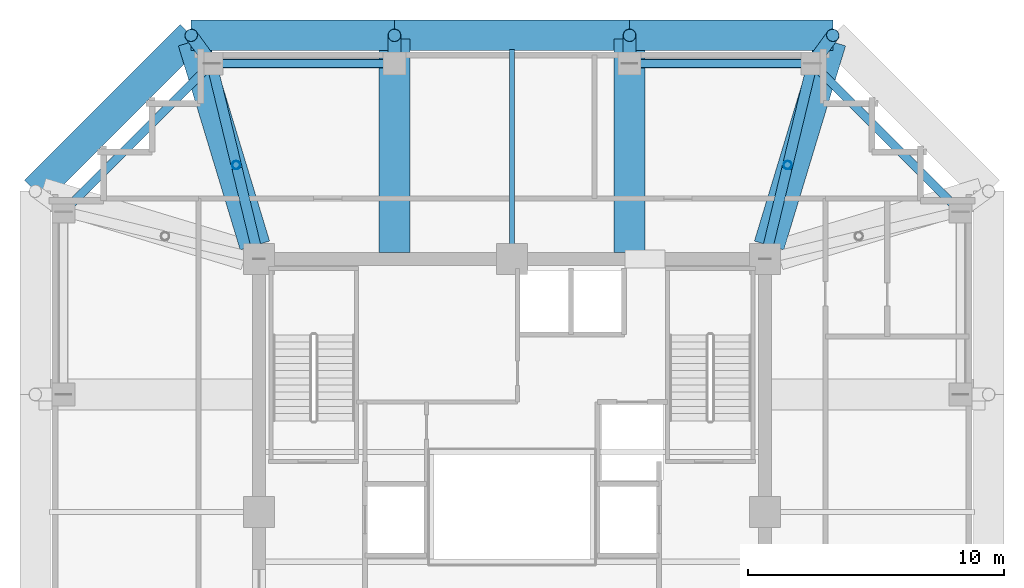
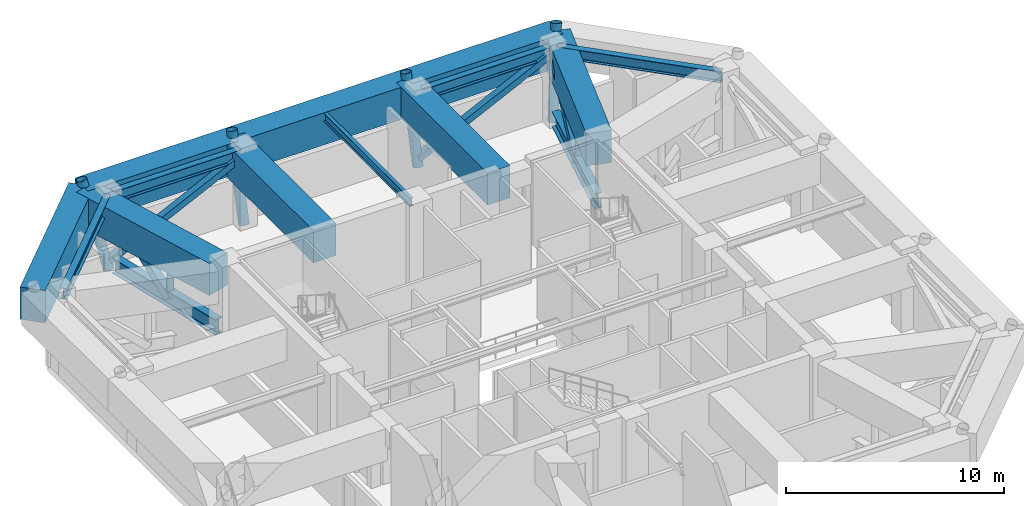
# One storey, part 5 of 12: 15 beams, 10 members.
"""IFC4 building model written with IfcOpenShell, lengths in metres."""

from ifc_helpers import new_model, si_unit, direction, frame, origin, origin_2d, place, context, subcontext, project, spatial, rectangle, hollow_rectangle, hollow_circle, i_section, extrude, material, material_profile, profile_set, type_object, element, save


model = new_model("IFC4")

# Units and contexts
model_context = context("Model", 3, precision=1e-05, world=origin(), true_north=direction((0.0, 1.0)))
body_context = subcontext(model_context, "Body", "Model", "MODEL_VIEW")
ifc_project = project(units=[si_unit("LENGTHUNIT", "METRE"), si_unit("AREAUNIT", "SQUARE_METRE"), si_unit("VOLUMEUNIT", "CUBIC_METRE"), si_unit("PLANEANGLEUNIT", "RADIAN"), si_unit("MASSUNIT", "GRAM", prefix="KILO")], contexts=[model_context])

# Site, building, storey
site_placement = place(None, origin())
site = spatial("IfcSite", under=ifc_project, at=site_placement, CompositionType="ELEMENT")
building_placement = place(site_placement, origin())
building = spatial("IfcBuilding", under=site, at=building_placement, Name="Kolvaren Belvedere", CompositionType="ELEMENT")
storey_placement = place(building_placement, frame((0.0, 0.0, 148.10009765625)))
storey = spatial("IfcBuildingStorey", under=building, at=storey_placement, Name="L43", CompositionType="ELEMENT", Elevation=148.10009765625)

# Beams
ifc_material_1 = material(Name="Structural steel ASTM A992 Grade 50", Category="steel")
ifc_material_profile_1 = material_profile(ifc_material_1, i_section(OverallWidth=0.39990234375, OverallDepth=0.85595703125, WebThickness=0.018310546875, FlangeThickness=0.029296875, FilletRadius=0.02490234375, at=origin_2d()), Name="W33X201")
ifc_profile_set_1 = profile_set([ifc_material_profile_1], Name="Structural steel ASTM A992 Grade 50")
beam_type_1 = type_object("IfcBeamType", Name="BM-GIRD-W33X201", PredefinedType="BEAM", material=ifc_profile_set_1)
for number, where, z_axis, x_axis, name in (
    (1, (10.029296875, 10.4345703125, 0.47998046875), (0.235061976433, 0.971980384182, 0.0), (-0.971980384182, 0.235061976433, 0.0), "L43 Outrigger Truss Bottom Chord OB-5"),
    (2, (-10.029296875, 10.4345703125, 0.47998046875), (-0.235061976433, 0.971980384182, 0.0), (-0.971980384182, -0.235061976433, 0.0), "L43 Outrigger Truss Bottom Chord OB-7"),
):
    element("IfcBeam", number, at=place(storey_placement, frame(where, z_axis=z_axis, x_axis=x_axis)), inside=storey, type_object=beam_type_1, Name=name, PredefinedType="BEAM", context=body_context, shape_type="SweptSolid", body=[
        extrude(i_section(OverallWidth=0.39990234375, OverallDepth=0.85595703125, WebThickness=0.018310546875, FlangeThickness=0.029296875, FilletRadius=0.02490234375, at=origin_2d()), origin(), (0.0, 0.0, 1.0), 6.87060546875),
    ])
ifc_material_2 = material(Name="Structural steel ASTM A992 Grade 50", Category="steel")
ifc_material_profile_2 = material_profile(ifc_material_2, i_section(OverallWidth=0.19091796875, OverallDepth=0.4599609375, WebThickness=0.010009765625, FlangeThickness=0.01611328125, FilletRadius=0.014892578125, at=origin_2d()), Name="W18X55")
ifc_profile_set_2 = profile_set([ifc_material_profile_2], Name="Structural steel ASTM A992 Grade 50")
beam_type_2 = type_object("IfcBeamType", Name="BM-JOIST-W18X55", PredefinedType="BEAM", material=ifc_profile_set_2)
beam_1_placement = place(storey_placement, frame((0.0, 10.14990234375, 4.06982421875), z_axis=(0.0, 1.0, 0.0), x_axis=(-1.0, 0.0, 0.0)))
element("IfcBeam", 3, at=beam_1_placement, inside=storey, type_object=beam_type_2, Name="L43 North Centre Floor Beam", PredefinedType="BEAM", context=body_context, shape_type="SweptSolid", body=[
    extrude(i_section(OverallWidth=0.19091796875, OverallDepth=0.4599609375, WebThickness=0.010009765625, FlangeThickness=0.01611328125, FilletRadius=0.014892578125, at=origin_2d()), origin(), (0.0, 0.0, 1.0), 7.9501953125),
])
ifc_material_3 = material(Name="Structural steel ASTM A992 Grade 50", Category="steel")
ifc_material_profile_3 = material_profile(ifc_material_3, i_section(OverallWidth=0.324951171875, OverallDepth=0.615966796875, WebThickness=0.013916015625, FlangeThickness=0.021484375, FilletRadius=0.02001953125, at=origin_2d()), Name="W24X117")
ifc_profile_set_3 = profile_set([ifc_material_profile_3], Name="Structural steel ASTM A992 Grade 50")
beam_type_3 = type_object("IfcBeamType", Name="BM-SPAN-W24X117", PredefinedType="SPANDREL", material=ifc_profile_set_3)
beam_2_placement = place(storey_placement, frame((17.40673828125, 11.893310546875, 3.991943359375), z_axis=(-0.707106781187, 0.707106781187, 0.0), x_axis=(-0.707106781187, -0.707106781187, 0.0)))
element("IfcBeam", 4, at=beam_2_placement, inside=storey, type_object=beam_type_3, Name="L43 Perimeter Spandrel E4-N4", PredefinedType="SPANDREL", context=body_context, shape_type="SweptSolid", body=[
    extrude(i_section(OverallWidth=0.324951171875, OverallDepth=0.615966796875, WebThickness=0.013916015625, FlangeThickness=0.021484375, FilletRadius=0.02001953125, at=origin_2d()), origin(), (0.0, 0.0, 1.0), 7.797119140625),
])
for number, where, z_axis, x_axis, name in (
    (5, (11.547607421875, 17.550048828125, 3.991943359375), (-1.0, 0.0, 0.0), (0.0, -1.0, 0.0), "L43 Perimeter Spandrel N4-N3"),
    (6, (-4.802490234375, 17.550048828125, 3.991943359375), (-1.0, 0.0, 0.0), (0.0, -1.0, 0.0), "L43 Perimeter Spandrel N2-N1"),
):
    element("IfcBeam", number, at=place(storey_placement, frame(where, z_axis=z_axis, x_axis=x_axis)), inside=storey, type_object=beam_type_3, Name=name, PredefinedType="SPANDREL", context=body_context, shape_type="SweptSolid", body=[
        extrude(i_section(OverallWidth=0.324951171875, OverallDepth=0.615966796875, WebThickness=0.013916015625, FlangeThickness=0.021484375, FilletRadius=0.02001953125, at=origin_2d()), origin(), (0.0, 0.0, 1.0), 6.7451171875),
    ])
beam_3_placement = place(storey_placement, frame((-11.893310546875, 17.40673828125, 3.991943359375), z_axis=(-0.707106781187, -0.707106781187, 0.0), x_axis=(0.707106781187, -0.707106781187, 0.0)))
element("IfcBeam", 7, at=beam_3_placement, inside=storey, type_object=beam_type_3, Name="L43 Perimeter Spandrel N1-W4", PredefinedType="SPANDREL", context=body_context, shape_type="SweptSolid", body=[
    extrude(i_section(OverallWidth=0.324951171875, OverallDepth=0.615966796875, WebThickness=0.013916015625, FlangeThickness=0.021484375, FilletRadius=0.02001953125, at=origin_2d()), origin(), (0.0, 0.0, 1.0), 7.797119140625),
])
ifc_material_4 = material(Name="Concrete C50/60", Category="concrete")
ifc_material_profile_4 = material_profile(ifc_material_4, rectangle(XDim=1.199951171875, YDim=1.800048828125, at=origin_2d()), Name="RC 1200X1800")
ifc_profile_set_4 = profile_set([ifc_material_profile_4], Name="Concrete C50/60")
beam_type_4 = type_object("IfcBeamType", Name="BM-TG-1800", PredefinedType="BEAM", material=ifc_profile_set_4)
beam_4_placement = place(storey_placement, frame((12.550048828125, 18.64990234375, 3.39990234375), z_axis=(-1.0, 0.0, 0.0), x_axis=(0.0, -1.0, 0.0)))
element("IfcBeam", 8, at=beam_4_placement, inside=storey, type_object=beam_type_4, Name="L43 Step Transfer Ring Girder N4-N3", PredefinedType="BEAM", context=body_context, shape_type="SweptSolid", body=[
    extrude(rectangle(XDim=1.199951171875, YDim=1.800048828125, at=origin_2d()), origin(), (0.0, 0.0, 1.0), 7.949951171875),
])
beam_5_placement = place(storey_placement, frame((4.60009765625, 18.64990234375, 3.39990234375), z_axis=(-1.0, 0.0, 0.0), x_axis=(0.0, -1.0, 0.0)))
element("IfcBeam", 9, at=beam_5_placement, inside=storey, type_object=beam_type_4, Name="L43 Step Transfer Ring Girder N3-N2", PredefinedType="BEAM", context=body_context, shape_type="SweptSolid", body=[
    extrude(rectangle(XDim=1.199951171875, YDim=1.800048828125, at=origin_2d()), origin(), (0.0, 0.0, 1.0), 9.2001953125),
])
beam_6_placement = place(storey_placement, frame((-4.60009765625, 18.64990234375, 3.39990234375), z_axis=(-1.0, 0.0, 0.0), x_axis=(0.0, -1.0, 0.0)))
element("IfcBeam", 10, at=beam_6_placement, inside=storey, type_object=beam_type_4, Name="L43 Step Transfer Ring Girder N2-N1", PredefinedType="BEAM", context=body_context, shape_type="SweptSolid", body=[
    extrude(rectangle(XDim=1.199951171875, YDim=1.800048828125, at=origin_2d()), origin(), (0.0, 0.0, 1.0), 7.949951171875),
])
beam_7_placement = place(storey_placement, frame((-12.550048828125, 18.64990234375, 3.39990234375), z_axis=(-0.707106781187, -0.707106781187, 0.0), x_axis=(0.707106781187, -0.707106781187, 0.0)))
element("IfcBeam", 11, at=beam_7_placement, inside=storey, type_object=beam_type_4, Name="L43 Step Transfer Ring Girder N1-W4", PredefinedType="BEAM", context=body_context, shape_type="SweptSolid", body=[
    extrude(rectangle(XDim=1.199951171875, YDim=1.800048828125, at=origin_2d()), origin(), (0.0, 0.0, 1.0), 8.62646484375),
])
for number, where, z_axis, x_axis, name in (
    (12, (4.60009765625, 10.14990234375, 3.39990234375), (0.0, 1.0, 0.0), (-1.0, 0.0, 0.0), "L43 North Radial Girder P"),
    (13, (-4.60009765625, 10.14990234375, 3.39990234375), (0.0, 1.0, 0.0), (-1.0, 0.0, 0.0), "L43 North Radial Girder M"),
):
    element("IfcBeam", number, at=place(storey_placement, frame(where, z_axis=z_axis, x_axis=x_axis)), inside=storey, type_object=beam_type_4, Name=name, PredefinedType="BEAM", context=body_context, shape_type="SweptSolid", body=[
        extrude(rectangle(XDim=1.199951171875, YDim=1.800048828125, at=origin_2d()), origin(), (0.0, 0.0, 1.0), 8.35009765625),
    ])
for number, where, z_axis, x_axis, name in (
    (14, (10.059326171875, 10.426513671875, 3.39990234375), (0.289873372359, 0.957065007195, 0.0), (-0.957065007195, 0.289873372359, 0.0), "L43 Corner Core-to-Perimeter Girder CC3-N4"),
    (15, (-10.059326171875, 10.426513671875, 3.39990234375), (-0.289873372359, 0.957065007195, 0.0), (-0.957065007195, -0.289873372359, 0.0), "L43 Corner Core-to-Perimeter Girder CC4-N1"),
):
    element("IfcBeam", number, at=place(storey_placement, frame(where, z_axis=z_axis, x_axis=x_axis)), inside=storey, type_object=beam_type_4, Name=name, PredefinedType="BEAM", context=body_context, shape_type="SweptSolid", body=[
        extrude(rectangle(XDim=1.199951171875, YDim=1.800048828125, at=origin_2d()), origin(), (0.0, 0.0, 1.0), 8.34228515625),
    ])

# Members
ifc_material_5 = material(Name="Structural steel ASTM A500 Grade C", Category="steel")
ifc_material_profile_5 = material_profile(ifc_material_5, hollow_rectangle(XDim=0.35595703125, YDim=0.35595703125, WallThickness=0.01171875, at=origin_2d()), Name="HSS14X14X1/2")
ifc_profile_set_5 = profile_set([ifc_material_profile_5], Name="Structural steel ASTM A500 Grade C")
member_type_1 = type_object("IfcMemberType", Name="MB-BELT-BRACE", PredefinedType="BRACE", material=ifc_profile_set_5)
for number, where, z_axis, x_axis, name in (
    (16, (-11.75, 17.550048828125, 0.47998046875), (0.899648500227, 0.0, 0.436614905884), (0.0, 1.0, 0.0), "L43 Perimeter Belt Truss Brace BT-3"),
    (17, (4.60009765625, 17.550048828125, 0.47998046875), (0.899648500227, 0.0, 0.436614905884), (0.0, 1.0, 0.0), "L43 Perimeter Belt Truss Brace BT-4"),
):
    element("IfcMember", number, at=place(storey_placement, frame(where, z_axis=z_axis, x_axis=x_axis)), inside=storey, type_object=member_type_1, Name=name, PredefinedType="BRACE", context=body_context, shape_type="SweptSolid", body=[
        extrude(hollow_rectangle(XDim=0.35595703125, YDim=0.35595703125, WallThickness=0.01171875, at=origin_2d()), origin(), (0.0, 0.0, 1.0), 7.947509765625),
    ])
ifc_material_6 = material(Name="Structural steel ASTM A500 Grade C", Category="steel")
ifc_material_profile_6 = material_profile(ifc_material_6, hollow_circle(Radius=0.162109375, WallThickness=0.01171875, at=origin_2d()), Name="HSS12.750X0.500")
ifc_profile_set_6 = profile_set([ifc_material_profile_6], Name="Structural steel ASTM A500 Grade C")
member_type_2 = type_object("IfcMemberType", Name="MB-CAN-POST", PredefinedType="POST", material=ifc_profile_set_6)
for number, where, z_axis, x_axis, name in (
    (18, (10.7880859375, 13.572021484375, 0.47998046875), (0.0, 0.0, 1.0), (1.0, 0.0, 0.0), "L43 Outrigger Portal Post OP-5"),
    (19, (-10.7880859375, 13.572021484375, 0.47998046875), (0.0, 0.0, 1.0), (1.0, 0.0, 0.0), "L43 Outrigger Portal Post OP-7"),
):
    element("IfcMember", number, at=place(storey_placement, frame(where, z_axis=z_axis, x_axis=x_axis)), inside=storey, type_object=member_type_2, Name=name, PredefinedType="POST", context=body_context, shape_type="SweptSolid", body=[
        extrude(hollow_circle(Radius=0.162109375, WallThickness=0.01171875, at=origin_2d()), origin(), (0.0, 0.0, 1.0), 3.469970703125),
    ])
ifc_material_7 = material(Name="Structural steel ASTM A500 Grade C", Category="steel")
ifc_material_profile_7 = material_profile(ifc_material_7, hollow_rectangle(XDim=0.406005859375, YDim=0.406005859375, WallThickness=0.014892578125, at=origin_2d()), Name="HSS16X16X5/8")
ifc_profile_set_7 = profile_set([ifc_material_profile_7], Name="Structural steel ASTM A500 Grade C")
member_type_3 = type_object("IfcMemberType", Name="MB-OUTRIGGER", PredefinedType="BRACE", material=ifc_profile_set_7)
for number, where, z_axis, x_axis, name in (
    (20, (10.7880859375, 13.572021484375, 0.47998046875), (0.179271121775, 0.741381639136, 0.646695546645), (-0.971987354602, 0.235033151904, 0.0), "L43 Outrigger Truss Diagonal OT-5A"),
    (21, (-10.7880859375, 13.572021484375, 0.47998046875), (-0.179271121775, 0.741381639136, 0.646695546645), (-0.971987354602, -0.235033151904, 0.0), "L43 Outrigger Truss Diagonal OT-7A"),
):
    element("IfcMember", number, at=place(storey_placement, frame(where, z_axis=z_axis, x_axis=x_axis)), inside=storey, type_object=member_type_3, Name=name, PredefinedType="BRACE", context=body_context, shape_type="SweptSolid", body=[
        extrude(hollow_rectangle(XDim=0.406005859375, YDim=0.406005859375, WallThickness=0.014892578125, at=origin_2d()), origin(), (0.0, 0.0, 1.0), 5.36572265625),
    ])
ifc_material_8 = material(Name="Structural steel ASTM A500 Grade C", Category="steel")
ifc_material_profile_8 = material_profile(ifc_material_8, hollow_circle(Radius=0.25390625, WallThickness=0.01171875, at=origin_2d()), Name="HSS20.000X0.500")
ifc_profile_set_8 = profile_set([ifc_material_profile_8], Name="Structural steel ASTM A500 Grade C")
member_type_4 = type_object("IfcMemberType", Name="MB-WAIST-STRUT", PredefinedType="STRUT", material=ifc_profile_set_8)
member_1_placement = place(storey_placement, frame((-11.75, 17.550048828125, 0.0), z_axis=(-0.166791227963, 0.229293403104, 0.958960490097), x_axis=(-0.808681743416, -0.58824640914, 0.0)))
element("IfcMember", 22, at=member_1_placement, inside=storey, type_object=member_type_4, Name="L43 Inclined Waist Transition Strut N1", PredefinedType="STRUT", context=body_context, shape_type="SweptSolid", body=[
    extrude(hollow_circle(Radius=0.25390625, WallThickness=0.01171875, at=origin_2d()), origin(), (0.0, 0.0, 1.0), 4.796630859375),
])
for number, where, z_axis, x_axis, name in (
    (23, (-4.60009765625, 17.550048828125, 0.0), (0.0, 0.232550921911, 0.972584221915), (-1.0, 0.0, 0.0), "L43 Inclined Waist Transition Strut N2"),
    (24, (4.60009765625, 17.550048828125, 0.0), (0.0, 0.232550921911, 0.972584221915), (-1.0, 0.0, 0.0), "L43 Inclined Waist Transition Strut N3"),
):
    element("IfcMember", number, at=place(storey_placement, frame(where, z_axis=z_axis, x_axis=x_axis)), inside=storey, type_object=member_type_4, Name=name, PredefinedType="STRUT", context=body_context, shape_type="SweptSolid", body=[
        extrude(hollow_circle(Radius=0.25390625, WallThickness=0.01171875, at=origin_2d()), origin(), (0.0, 0.0, 1.0), 4.7294921875),
    ])
member_2_placement = place(storey_placement, frame((11.75, 17.550048828125, 0.0), z_axis=(0.166791227963, 0.229293403104, 0.958960490097), x_axis=(-0.808681743416, 0.58824640914, 0.0)))
element("IfcMember", 25, at=member_2_placement, inside=storey, type_object=member_type_4, Name="L43 Inclined Waist Transition Strut N4", PredefinedType="STRUT", context=body_context, shape_type="SweptSolid", body=[
    extrude(hollow_circle(Radius=0.25390625, WallThickness=0.01171875, at=origin_2d()), origin(), (0.0, 0.0, 1.0), 4.796630859375),
])

save(model, "model.ifc")
